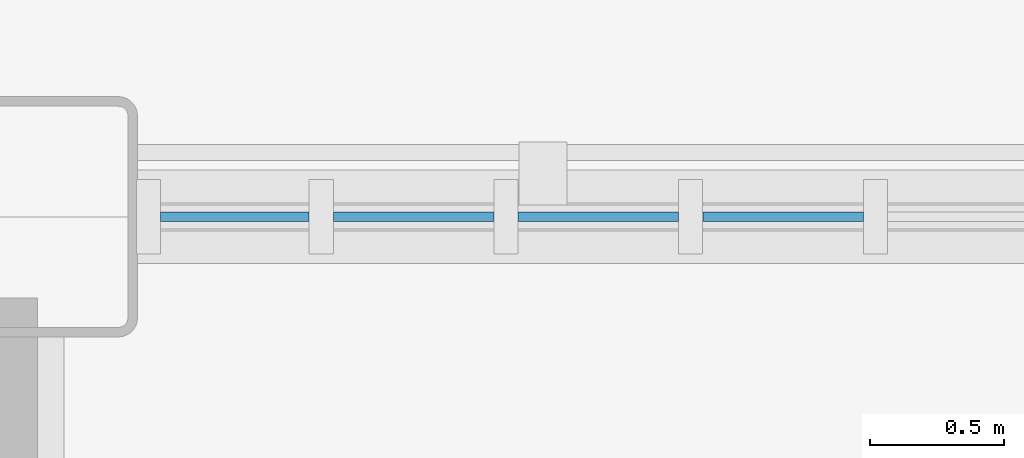
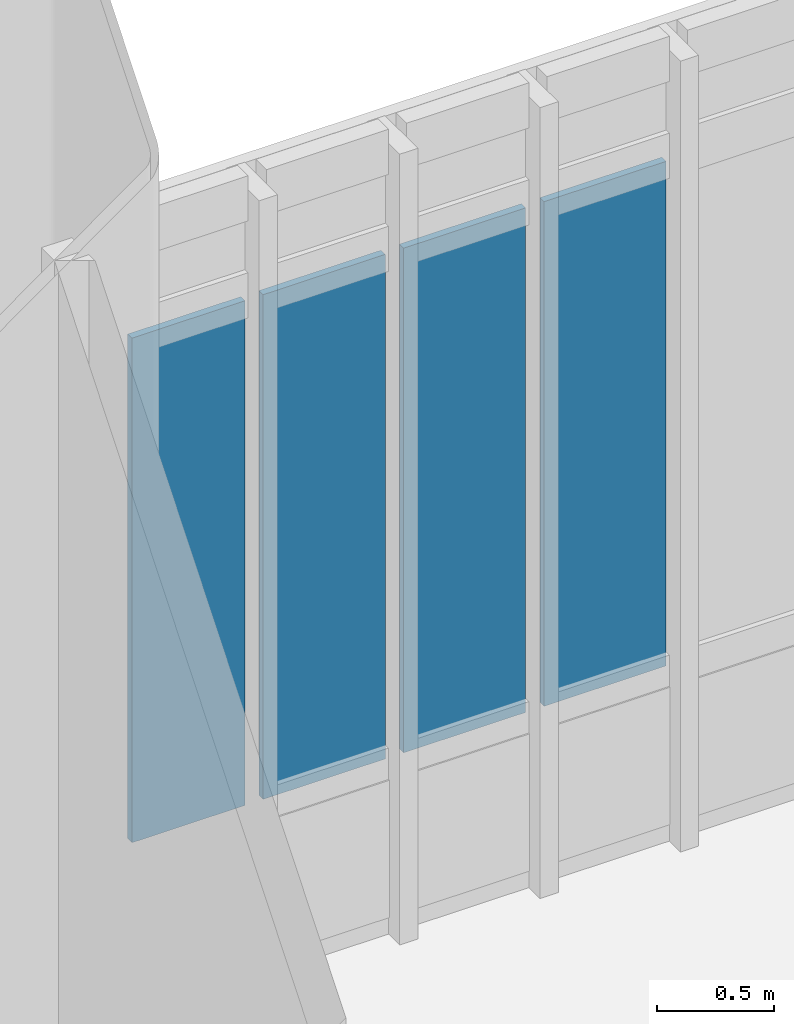
# One storey, part 63 of 111: 4 plates, 1 element without a shape of its own.
"""IFC4 building model written with IfcOpenShell, lengths in metres."""

from ifc_helpers import new_model, si_unit, direction, frame, origin, origin_2d, place, context, subcontext, project, spatial, rectangle, extrude, material, layer, layer_set, type_object, element, aggregate, save


model = new_model("IFC4")

# Units and contexts
model_context = context("Model", 3, precision=1e-05, world=origin(), true_north=direction((0.0, 1.0)))
body_context = subcontext(model_context, "Body", "Model", "MODEL_VIEW")
ifc_project = project(units=[si_unit("LENGTHUNIT", "METRE"), si_unit("AREAUNIT", "SQUARE_METRE"), si_unit("VOLUMEUNIT", "CUBIC_METRE"), si_unit("PLANEANGLEUNIT", "RADIAN"), si_unit("MASSUNIT", "GRAM", prefix="KILO")], contexts=[model_context])

# Site, building, storey
site_placement = place(None, origin())
site = spatial("IfcSite", under=ifc_project, at=site_placement, CompositionType="ELEMENT")
building_placement = place(site_placement, origin())
building = spatial("IfcBuilding", under=site, at=building_placement, Name="Larkvane Passage Sports Hall", CompositionType="ELEMENT")
storey_placement = place(building_placement, origin())
storey = spatial("IfcBuildingStorey", under=building, at=storey_placement, Name="L00", CompositionType="ELEMENT", Elevation=0.0)

# Curtain wall, plates
ifc_material_1 = material(Name="Thermally broken aluminium and low-E glazing", Category="aluminium")
curtain_wall_type = type_object("IfcCurtainWallType", Name="CW-STICK-FOYER", PredefinedType="USERDEFINED", material=ifc_material_1)
curtain_wall_placement = place(storey_placement, origin())
curtain_wall = element("IfcCurtainWall", 1, at=curtain_wall_placement, inside=storey, type_object=curtain_wall_type, Name="Curtain wall CW5-L00-010", ObjectType="STICK CURTAIN WALL", PredefinedType="USERDEFINED")
ifc_material_2 = material(Name="High-impact court low-E glazing", Category="glass")
ifc_layer = layer(ifc_material_2, 0.035888671875)
ifc_layer_set = layer_set([ifc_layer], Name="High-impact court low-E glazing")
plate_type = type_object("IfcPlateType", Name="CWP-VIS-36", PredefinedType="CURTAIN_PANEL", material=ifc_layer_set)
plate_1_placement = place(storey_placement, frame((69.21435546875, 91.60009765625, 0.89501953125), z_axis=(0.0, 0.0, 1.0), x_axis=(1.0, 0.0, 0.0)))
plate_1 = element("IfcPlate", 2, at=plate_1_placement, type_object=plate_type, Name="CW-03 panel 1.2", PredefinedType="CURTAIN_PANEL", context=body_context, shape_type="SweptSolid", body=[
    extrude(rectangle(XDim=0.556640625, YDim=0.035888671875, at=origin_2d()), origin(), (0.0, 0.0, 1.0), 2.6279296875),
])
plate_2_placement = place(storey_placement, frame((69.883544921875, 91.60009765625, 0.89501953125), z_axis=(0.0, 0.0, 1.0), x_axis=(1.0, 0.0, 0.0)))
plate_2 = element("IfcPlate", 3, at=plate_2_placement, type_object=plate_type, Name="CW-03 panel 2.2", PredefinedType="CURTAIN_PANEL", context=body_context, shape_type="SweptSolid", body=[
    extrude(rectangle(XDim=0.6015625, YDim=0.035888671875, at=origin_2d()), origin(), (0.0, 0.0, 1.0), 2.6279296875),
])
plate_3_placement = place(storey_placement, frame((70.5751953125, 91.60009765625, 0.89501953125), z_axis=(0.0, 0.0, 1.0), x_axis=(1.0, 0.0, 0.0)))
plate_3 = element("IfcPlate", 4, at=plate_3_placement, type_object=plate_type, Name="CW-03 panel 3.2", PredefinedType="CURTAIN_PANEL", context=body_context, shape_type="SweptSolid", body=[
    extrude(rectangle(XDim=0.6015625, YDim=0.035888671875, at=origin_2d()), origin(), (0.0, 0.0, 1.0), 2.6279296875),
])
plate_4_placement = place(storey_placement, frame((71.266845703125, 91.60009765625, 0.89501953125), z_axis=(0.0, 0.0, 1.0), x_axis=(1.0, 0.0, 0.0)))
plate_4 = element("IfcPlate", 5, at=plate_4_placement, type_object=plate_type, Name="CW-03 panel 4.2", PredefinedType="CURTAIN_PANEL", context=body_context, shape_type="SweptSolid", body=[
    extrude(rectangle(XDim=0.6015625, YDim=0.035888671875, at=origin_2d()), origin(), (0.0, 0.0, 1.0), 2.6279296875),
])
aggregate(curtain_wall, [plate_1, plate_2, plate_3, plate_4])

save(model, "model.ifc")
